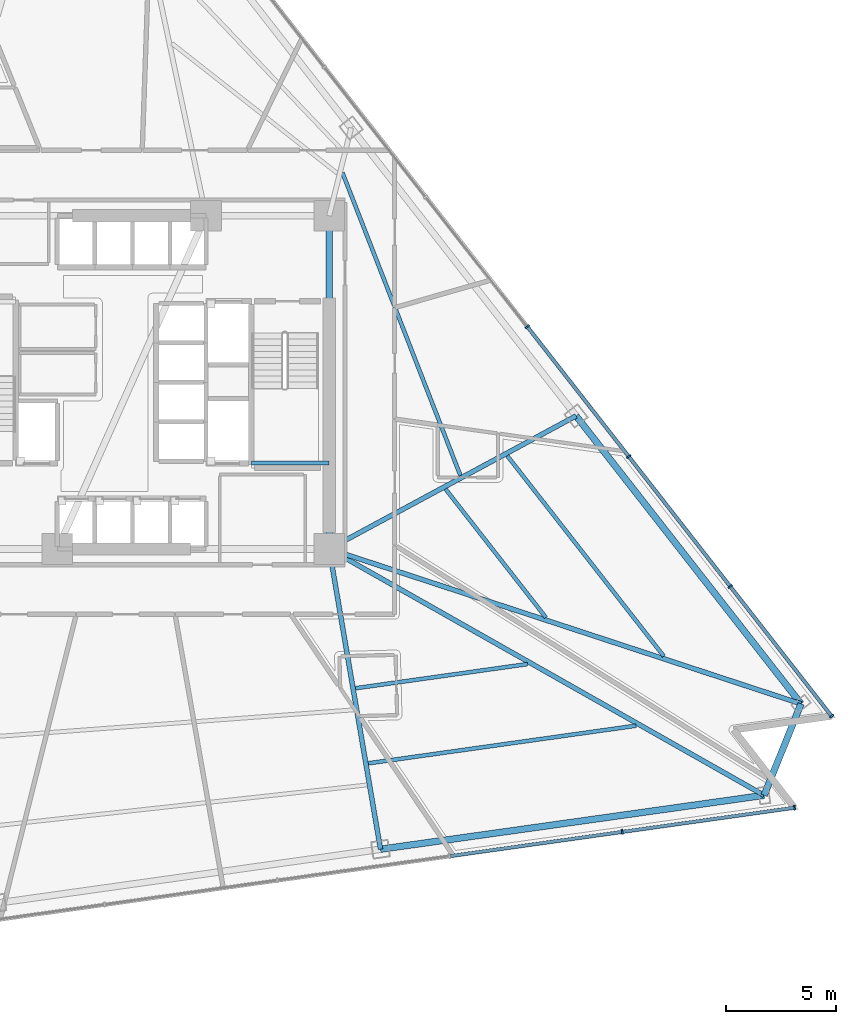
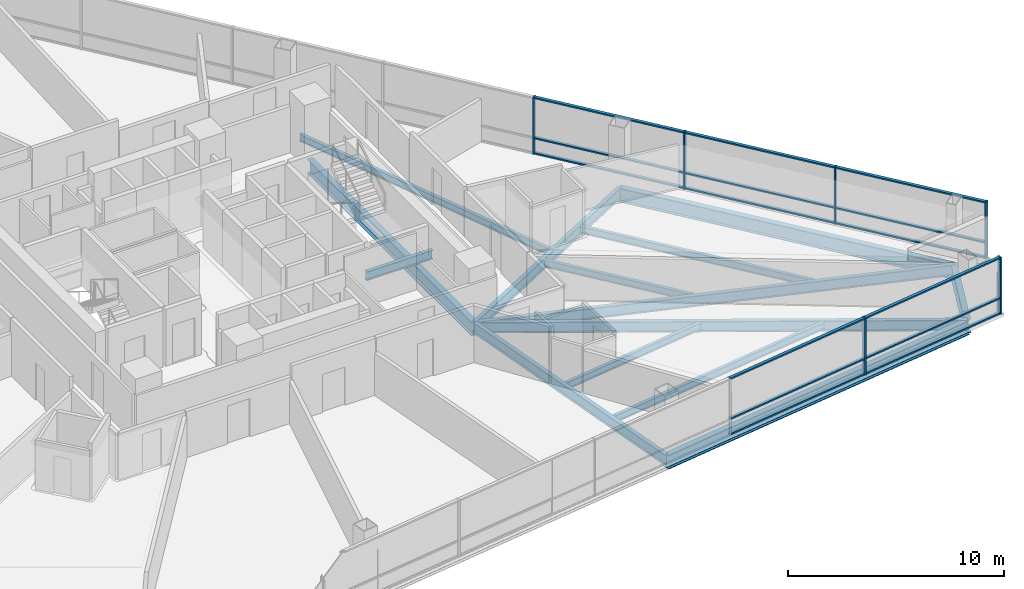
# One storey, part 4 of 15: 21 members, 14 beams, 2 elements without a shape of their own.
"""IFC4 building model written with IfcOpenShell, lengths in metres."""

from ifc_helpers import new_model, si_unit, direction, frame, origin, origin_2d, place, context, subcontext, project, spatial, rectangle, i_section, extrude, material, layer, layer_set, material_profile, profile_set, type_object, element, aggregate, save


model = new_model("IFC4")

# Units and contexts
model_context = context("Model", 3, precision=1e-05, world=origin(), true_north=direction((0.0, 1.0)))
body_context = subcontext(model_context, "Body", "Model", "MODEL_VIEW")
ifc_project = project(units=[si_unit("LENGTHUNIT", "METRE"), si_unit("AREAUNIT", "SQUARE_METRE"), si_unit("VOLUMEUNIT", "CUBIC_METRE"), si_unit("PLANEANGLEUNIT", "RADIAN"), si_unit("MASSUNIT", "GRAM", prefix="KILO")], contexts=[model_context])

# Site, building, storey
site_placement = place(None, origin())
site = spatial("IfcSite", under=ifc_project, at=site_placement, CompositionType="ELEMENT")
building_placement = place(site_placement, origin())
building = spatial("IfcBuilding", under=site, at=building_placement, Name="Tharavind Bronze Gate", CompositionType="ELEMENT")
storey_placement = place(building_placement, frame((0.0, 0.0, 77.64990234375)))
storey = spatial("IfcBuildingStorey", under=building, at=storey_placement, Name="L19", CompositionType="ELEMENT", Elevation=77.64990234375)

# Curtain wall, members
ifc_material_1 = material(Name="Anodised Bronze Aluminium", Category="aluminium")
ifc_layer = layer(ifc_material_1, 0.219970703125)
ifc_layer_set = layer_set([ifc_layer], Name="Anodised Bronze Aluminium")
curtain_wall_type = type_object("IfcCurtainWallType", Name="UNITISED CURTAIN WALL HOTEL", PredefinedType="USERDEFINED", material=ifc_layer_set)
curtain_wall_1_placement = place(storey_placement, origin())
curtain_wall_1 = element("IfcCurtainWall", 1, at=curtain_wall_1_placement, inside=storey, type_object=curtain_wall_type, Name="L19 unitised curtain wall hotel CW-L19-S2", ObjectType="UNITISED CURTAIN WALL", PredefinedType="USERDEFINED")
member_type_1 = type_object("IfcMemberType", Name="CURTAIN WALL MULLION 80X220", PredefinedType="MULLION", material=ifc_material_1)
member_1_placement = place(storey_placement, frame((22.261474609375, -20.504638671875, 0.0), z_axis=(0.0, 0.0, 1.0), x_axis=(0.990268068742, 0.13917310096, 0.0)))
member_1 = element("IfcMember", 2, at=member_1_placement, type_object=member_type_1, Name="CW-L19-S2 mullion 7", PredefinedType="MULLION", context=body_context, shape_type="SweptSolid", body=[
    extrude(rectangle(XDim=0.080078125, YDim=0.219970703125, at=origin_2d()), origin(), (0.0, 0.0, 1.0), 3.2099609375),
])
member_2_placement = place(storey_placement, frame((30.127685546875, -19.399169921875, 0.0), z_axis=(0.0, 0.0, 1.0), x_axis=(0.990268068742, 0.13917310096, 0.0)))
member_2 = element("IfcMember", 3, at=member_2_placement, type_object=member_type_1, Name="CW-L19-S2 mullion 8", PredefinedType="MULLION", context=body_context, shape_type="SweptSolid", body=[
    extrude(rectangle(XDim=0.080078125, YDim=0.219970703125, at=origin_2d()), origin(), (0.0, 0.0, 1.0), 3.2099609375),
])

curtain_wall_2_placement = place(storey_placement, origin())
curtain_wall_2 = element("IfcCurtainWall", 4, at=curtain_wall_2_placement, inside=storey, type_object=curtain_wall_type, Name="L19 unitised curtain wall hotel CW-L19-S3", ObjectType="UNITISED CURTAIN WALL", PredefinedType="USERDEFINED")
member_3_placement = place(storey_placement, frame((31.8134765625, -15.226806640625, 0.0), z_axis=(0.0, 0.0, 1.0), x_axis=(-0.615661475326, 0.788010753607, 0.0)))
member_3 = element("IfcMember", 5, at=member_3_placement, type_object=member_type_1, Name="CW-L19-S3 mullion 1", PredefinedType="MULLION", context=body_context, shape_type="SweptSolid", body=[
    extrude(rectangle(XDim=0.080078125, YDim=0.219970703125, at=origin_2d()), origin(), (0.0, 0.0, 1.0), 3.2099609375),
])
member_4_placement = place(storey_placement, frame((27.186767578125, -9.3046875, 0.0), z_axis=(0.0, 0.0, 1.0), x_axis=(-0.615661475326, 0.788010753607, 0.0)))
member_4 = element("IfcMember", 6, at=member_4_placement, type_object=member_type_1, Name="CW-L19-S3 mullion 2", PredefinedType="MULLION", context=body_context, shape_type="SweptSolid", body=[
    extrude(rectangle(XDim=0.080078125, YDim=0.219970703125, at=origin_2d()), origin(), (0.0, 0.0, 1.0), 3.2099609375),
])
member_5_placement = place(storey_placement, frame((22.56005859375, -3.3828125, 0.0), z_axis=(0.0, 0.0, 1.0), x_axis=(-0.615661475326, 0.788010753607, 0.0)))
member_5 = element("IfcMember", 7, at=member_5_placement, type_object=member_type_1, Name="CW-L19-S3 mullion 3", PredefinedType="MULLION", context=body_context, shape_type="SweptSolid", body=[
    extrude(rectangle(XDim=0.080078125, YDim=0.219970703125, at=origin_2d()), origin(), (0.0, 0.0, 1.0), 3.2099609375),
])
member_6_placement = place(storey_placement, frame((17.933349609375, 2.5390625, 0.0), z_axis=(0.0, 0.0, 1.0), x_axis=(-0.615661475326, 0.788010753607, 0.0)))
member_6 = element("IfcMember", 8, at=member_6_placement, type_object=member_type_1, Name="CW-L19-S3 mullion 4", PredefinedType="MULLION", context=body_context, shape_type="SweptSolid", body=[
    extrude(rectangle(XDim=0.080078125, YDim=0.219970703125, at=origin_2d()), origin(), (0.0, 0.0, 1.0), 3.2099609375),
])

# Member
member_type_2 = type_object("IfcMemberType", Name="CURTAIN WALL TRANSOM 80X160", PredefinedType="USERDEFINED", material=ifc_material_1)
member_7_placement = place(storey_placement, frame((18.328369140625, -21.057373046875, 0.0), z_axis=(0.0, 0.0, 1.0), x_axis=(0.990268068742, 0.13917310096, 0.0)))
member_7 = element("IfcMember", 9, at=member_7_placement, type_object=member_type_2, Name="CW-L19-S2 transom TB6", ObjectType="TRANSOM", PredefinedType="USERDEFINED", context=body_context, shape_type="SweptSolid", body=[
    extrude(rectangle(XDim=7.87548828125, YDim=0.159912109375, at=origin_2d()), origin(), (0.0, 0.0, 1.0), 0.080078125),
])

member_8_placement = place(storey_placement, frame((18.328369140625, -21.057373046875, 0.860107421875), z_axis=(0.0, 0.0, 1.0), x_axis=(0.990268068742, 0.13917310096, 0.0)))
member_8 = element("IfcMember", 10, at=member_8_placement, type_object=member_type_2, Name="CW-L19-S2 transom TS6", ObjectType="TRANSOM", PredefinedType="USERDEFINED", context=body_context, shape_type="SweptSolid", body=[
    extrude(rectangle(XDim=7.87548828125, YDim=0.159912109375, at=origin_2d()), origin(), (0.0, 0.0, 1.0), 0.080078125),
])

member_9_placement = place(storey_placement, frame((18.328369140625, -21.057373046875, 3.130126953125), z_axis=(0.0, 0.0, 1.0), x_axis=(0.990268068742, 0.13917310096, 0.0)))
member_9 = element("IfcMember", 11, at=member_9_placement, type_object=member_type_2, Name="CW-L19-S2 transom TT6", ObjectType="TRANSOM", PredefinedType="USERDEFINED", context=body_context, shape_type="SweptSolid", body=[
    extrude(rectangle(XDim=7.87548828125, YDim=0.159912109375, at=origin_2d()), origin(), (0.0, 0.0, 1.0), 0.080078125),
])

member_10_placement = place(storey_placement, frame((26.194580078125, -19.951904296875, 0.0), z_axis=(0.0, 0.0, 1.0), x_axis=(0.990268068742, 0.13917310096, 0.0)))
member_10 = element("IfcMember", 12, at=member_10_placement, type_object=member_type_2, Name="CW-L19-S2 transom TB7", ObjectType="TRANSOM", PredefinedType="USERDEFINED", context=body_context, shape_type="SweptSolid", body=[
    extrude(rectangle(XDim=7.87548828125, YDim=0.159912109375, at=origin_2d()), origin(), (0.0, 0.0, 1.0), 0.080078125),
])

member_11_placement = place(storey_placement, frame((26.194580078125, -19.951904296875, 0.860107421875), z_axis=(0.0, 0.0, 1.0), x_axis=(0.990268068742, 0.13917310096, 0.0)))
member_11 = element("IfcMember", 13, at=member_11_placement, type_object=member_type_2, Name="CW-L19-S2 transom TS7", ObjectType="TRANSOM", PredefinedType="USERDEFINED", context=body_context, shape_type="SweptSolid", body=[
    extrude(rectangle(XDim=7.87548828125, YDim=0.159912109375, at=origin_2d()), origin(), (0.0, 0.0, 1.0), 0.080078125),
])

member_12_placement = place(storey_placement, frame((26.194580078125, -19.951904296875, 3.130126953125), z_axis=(0.0, 0.0, 1.0), x_axis=(0.990268068742, 0.13917310096, 0.0)))
member_12 = element("IfcMember", 14, at=member_12_placement, type_object=member_type_2, Name="CW-L19-S2 transom TT7", ObjectType="TRANSOM", PredefinedType="USERDEFINED", context=body_context, shape_type="SweptSolid", body=[
    extrude(rectangle(XDim=7.87548828125, YDim=0.159912109375, at=origin_2d()), origin(), (0.0, 0.0, 1.0), 0.080078125),
])

aggregate(curtain_wall_1, [member_1, member_2, member_7, member_8, member_9, member_10, member_11, member_12])

member_13_placement = place(storey_placement, frame((29.5, -12.265869140625, 0.0), z_axis=(0.0, 0.0, 1.0), x_axis=(-0.615661475326, 0.788010753607, 0.0)))
member_13 = element("IfcMember", 15, at=member_13_placement, type_object=member_type_2, Name="CW-L19-S3 transom TB1", ObjectType="TRANSOM", PredefinedType="USERDEFINED", context=body_context, shape_type="SweptSolid", body=[
    extrude(rectangle(XDim=7.447021484375, YDim=0.159912109375, at=origin_2d()), origin(), (0.0, 0.0, 1.0), 0.080078125),
])

member_14_placement = place(storey_placement, frame((29.5, -12.265869140625, 0.860107421875), z_axis=(0.0, 0.0, 1.0), x_axis=(-0.615661475326, 0.788010753607, 0.0)))
member_14 = element("IfcMember", 16, at=member_14_placement, type_object=member_type_2, Name="CW-L19-S3 transom TS1", ObjectType="TRANSOM", PredefinedType="USERDEFINED", context=body_context, shape_type="SweptSolid", body=[
    extrude(rectangle(XDim=7.447021484375, YDim=0.159912109375, at=origin_2d()), origin(), (0.0, 0.0, 1.0), 0.080078125),
])

member_15_placement = place(storey_placement, frame((29.5, -12.265869140625, 3.130126953125), z_axis=(0.0, 0.0, 1.0), x_axis=(-0.615661475326, 0.788010753607, 0.0)))
member_15 = element("IfcMember", 17, at=member_15_placement, type_object=member_type_2, Name="CW-L19-S3 transom TT1", ObjectType="TRANSOM", PredefinedType="USERDEFINED", context=body_context, shape_type="SweptSolid", body=[
    extrude(rectangle(XDim=7.447021484375, YDim=0.159912109375, at=origin_2d()), origin(), (0.0, 0.0, 1.0), 0.080078125),
])

member_16_placement = place(storey_placement, frame((24.873291015625, -6.343994140625, 0.0), z_axis=(0.0, 0.0, 1.0), x_axis=(-0.615661475326, 0.788010753607, 0.0)))
member_16 = element("IfcMember", 18, at=member_16_placement, type_object=member_type_2, Name="CW-L19-S3 transom TB2", ObjectType="TRANSOM", PredefinedType="USERDEFINED", context=body_context, shape_type="SweptSolid", body=[
    extrude(rectangle(XDim=7.447021484375, YDim=0.159912109375, at=origin_2d()), origin(), (0.0, 0.0, 1.0), 0.080078125),
])

member_17_placement = place(storey_placement, frame((24.873291015625, -6.343994140625, 0.860107421875), z_axis=(0.0, 0.0, 1.0), x_axis=(-0.615661475326, 0.788010753607, 0.0)))
member_17 = element("IfcMember", 19, at=member_17_placement, type_object=member_type_2, Name="CW-L19-S3 transom TS2", ObjectType="TRANSOM", PredefinedType="USERDEFINED", context=body_context, shape_type="SweptSolid", body=[
    extrude(rectangle(XDim=7.447021484375, YDim=0.159912109375, at=origin_2d()), origin(), (0.0, 0.0, 1.0), 0.080078125),
])

member_18_placement = place(storey_placement, frame((24.873291015625, -6.343994140625, 3.130126953125), z_axis=(0.0, 0.0, 1.0), x_axis=(-0.615661475326, 0.788010753607, 0.0)))
member_18 = element("IfcMember", 20, at=member_18_placement, type_object=member_type_2, Name="CW-L19-S3 transom TT2", ObjectType="TRANSOM", PredefinedType="USERDEFINED", context=body_context, shape_type="SweptSolid", body=[
    extrude(rectangle(XDim=7.447021484375, YDim=0.159912109375, at=origin_2d()), origin(), (0.0, 0.0, 1.0), 0.080078125),
])

member_19_placement = place(storey_placement, frame((20.24658203125, -0.421875, 0.0), z_axis=(0.0, 0.0, 1.0), x_axis=(-0.615661475326, 0.788010753607, 0.0)))
member_19 = element("IfcMember", 21, at=member_19_placement, type_object=member_type_2, Name="CW-L19-S3 transom TB3", ObjectType="TRANSOM", PredefinedType="USERDEFINED", context=body_context, shape_type="SweptSolid", body=[
    extrude(rectangle(XDim=7.447021484375, YDim=0.159912109375, at=origin_2d()), origin(), (0.0, 0.0, 1.0), 0.080078125),
])

member_20_placement = place(storey_placement, frame((20.24658203125, -0.421875, 0.860107421875), z_axis=(0.0, 0.0, 1.0), x_axis=(-0.615661475326, 0.788010753607, 0.0)))
member_20 = element("IfcMember", 22, at=member_20_placement, type_object=member_type_2, Name="CW-L19-S3 transom TS3", ObjectType="TRANSOM", PredefinedType="USERDEFINED", context=body_context, shape_type="SweptSolid", body=[
    extrude(rectangle(XDim=7.447021484375, YDim=0.159912109375, at=origin_2d()), origin(), (0.0, 0.0, 1.0), 0.080078125),
])

member_21_placement = place(storey_placement, frame((20.24658203125, -0.421875, 3.130126953125), z_axis=(0.0, 0.0, 1.0), x_axis=(-0.615661475326, 0.788010753607, 0.0)))
member_21 = element("IfcMember", 23, at=member_21_placement, type_object=member_type_2, Name="CW-L19-S3 transom TT3", ObjectType="TRANSOM", PredefinedType="USERDEFINED", context=body_context, shape_type="SweptSolid", body=[
    extrude(rectangle(XDim=7.447021484375, YDim=0.159912109375, at=origin_2d()), origin(), (0.0, 0.0, 1.0), 0.080078125),
])

aggregate(curtain_wall_2, [member_3, member_4, member_5, member_6, member_13, member_14, member_15, member_16, member_17, member_18, member_19, member_20, member_21])

# Beams
ifc_material_2 = material(Name="Steel S355", Category="steel")
ifc_material_profile_1 = material_profile(ifc_material_2, i_section(OverallWidth=0.199951171875, OverallDepth=0.5, WebThickness=0.01025390625, FlangeThickness=0.01611328125, at=origin_2d()), Name="IPE500")
ifc_profile_set_1 = profile_set([ifc_material_profile_1], Name="Steel S355")
beam_type_1 = type_object("IfcBeamType", Name="PRIMARY GIRDER IPE500", PredefinedType="USERDEFINED", material=ifc_profile_set_1)
beam_1_placement = place(storey_placement, frame((5.35009765625, -3.679931640625, 1.275146484375), z_axis=(1.0, 0.0, 0.0), x_axis=(0.0, 1.0, 0.0)))
element("IfcBeam", 24, at=beam_1_placement, inside=storey, type_object=beam_type_1, Name="L19 primary girder ipe500 BM-LD-ST2-L19-1", ObjectType="GIRDER", PredefinedType="USERDEFINED", context=body_context, shape_type="SweptSolid", body=[
    extrude(i_section(OverallWidth=0.199951171875, OverallDepth=0.5, WebThickness=0.01025390625, FlangeThickness=0.01611328125, at=origin_2d()), origin(), (0.0, 0.0, 1.0), 3.5498046875),
])
ifc_material_profile_2 = material_profile(ifc_material_2, i_section(OverallWidth=0.219970703125, OverallDepth=0.60009765625, WebThickness=0.011962890625, FlangeThickness=0.01904296875, at=origin_2d()), Name="IPE600")
ifc_profile_set_2 = profile_set([ifc_material_profile_2], Name="Steel S355")
beam_type_2 = type_object("IfcBeamType", Name="PRIMARY GIRDER IPE600", PredefinedType="USERDEFINED", material=ifc_profile_set_2)
beam_2_placement = place(storey_placement, frame((11.23974609375, -21.29638671875, -0.474853515625), z_axis=(-0.168398067653, 0.985719072967, 0.0), x_axis=(-0.985719072967, -0.168398067653, 0.0)))
element("IfcBeam", 25, at=beam_2_placement, inside=storey, type_object=beam_type_2, Name="L19 primary girder ipe600 BM-L19-RAD07", ObjectType="GIRDER", PredefinedType="USERDEFINED", context=body_context, shape_type="SweptSolid", body=[
    extrude(i_section(OverallWidth=0.219970703125, OverallDepth=0.60009765625, WebThickness=0.011962890625, FlangeThickness=0.01904296875, at=origin_2d()), origin(), (0.0, 0.0, 1.0), 13.894775390625),
])
beam_3_placement = place(storey_placement, frame((28.737060546875, -18.837158203125, -0.474853515625), z_axis=(-0.870097351351, 0.492879903396, 0.0), x_axis=(-0.492879903396, -0.870097351351, 0.0)))
element("IfcBeam", 26, at=beam_3_placement, inside=storey, type_object=beam_type_2, Name="L19 primary girder ipe600 BM-L19-RAD08", ObjectType="GIRDER", PredefinedType="USERDEFINED", context=body_context, shape_type="SweptSolid", body=[
    extrude(i_section(OverallWidth=0.219970703125, OverallDepth=0.60009765625, WebThickness=0.011962890625, FlangeThickness=0.01904296875, at=origin_2d()), origin(), (0.0, 0.0, 1.0), 22.798828125),
])
beam_4_placement = place(storey_placement, frame((30.422607421875, -14.664794921875, -0.474853515625), z_axis=(-0.950123985447, 0.311872429494, 0.0), x_axis=(-0.311872429494, -0.950123985447, 0.0)))
element("IfcBeam", 27, at=beam_4_placement, inside=storey, type_object=beam_type_2, Name="L19 primary girder ipe600 BM-L19-RAD09", ObjectType="GIRDER", PredefinedType="USERDEFINED", context=body_context, shape_type="SweptSolid", body=[
    extrude(i_section(OverallWidth=0.219970703125, OverallDepth=0.60009765625, WebThickness=0.011962890625, FlangeThickness=0.01904296875, at=origin_2d()), origin(), (0.0, 0.0, 1.0), 22.652587890625),
])
beam_5_placement = place(storey_placement, frame((20.16015625, -1.529296875, -0.474853515625), z_axis=(-0.880223404357, -0.474559541493, 0.0), x_axis=(0.474559541493, -0.880223404357, 0.0)))
element("IfcBeam", 28, at=beam_5_placement, inside=storey, type_object=beam_type_2, Name="L19 primary girder ipe600 BM-L19-RAD10", ObjectType="GIRDER", PredefinedType="USERDEFINED", context=body_context, shape_type="SweptSolid", body=[
    extrude(i_section(OverallWidth=0.219970703125, OverallDepth=0.60009765625, WebThickness=0.011962890625, FlangeThickness=0.01904296875, at=origin_2d()), origin(), (0.0, 0.0, 1.0), 12.79248046875),
])
ifc_material_profile_3 = material_profile(ifc_material_2, i_section(OverallWidth=0.300048828125, OverallDepth=0.800048828125, WebThickness=0.017578125, FlangeThickness=0.032958984375, at=origin_2d()), Name="HE800B")
ifc_profile_set_3 = profile_set([ifc_material_profile_3], Name="Steel S355")
beam_type_3 = type_object("IfcBeamType", Name="RING GIRDER HE800B", PredefinedType="USERDEFINED", material=ifc_profile_set_3)
beam_6_placement = place(storey_placement, frame((8.89990234375, -7.60009765625, -0.574951171875), z_axis=(0.0, 1.0, 0.0), x_axis=(-1.0, 0.0, 0.0)))
element("IfcBeam", 29, at=beam_6_placement, inside=storey, type_object=beam_type_3, Name="L19 ring girder he800b BM-L19-CR3", ObjectType="GIRDER", PredefinedType="USERDEFINED", context=body_context, shape_type="SweptSolid", body=[
    extrude(i_section(OverallWidth=0.300048828125, OverallDepth=0.800048828125, WebThickness=0.017578125, FlangeThickness=0.032958984375, at=origin_2d()), origin(), (0.0, 0.0, 1.0), 15.2001953125),
])
beam_7_placement = place(storey_placement, frame((11.23974609375, -21.29638671875, -0.574951171875), z_axis=(0.990266966294, 0.13918094506, 0.0), x_axis=(-0.13918094506, 0.990266966294, 0.0)))
element("IfcBeam", 30, at=beam_7_placement, inside=storey, type_object=beam_type_3, Name="L19 ring girder he800b BM-L19-PRG07", ObjectType="GIRDER", PredefinedType="USERDEFINED", context=body_context, shape_type="SweptSolid", body=[
    extrude(i_section(OverallWidth=0.300048828125, OverallDepth=0.800048828125, WebThickness=0.017578125, FlangeThickness=0.032958984375, at=origin_2d()), origin(), (0.0, 0.0, 1.0), 17.669189453125),
])
beam_8_placement = place(storey_placement, frame((28.737060546875, -18.837158203125, -0.574951171875), z_axis=(0.374568898324, 0.927199083481, 0.0), x_axis=(-0.927199083481, 0.374568898324, 0.0)))
element("IfcBeam", 31, at=beam_8_placement, inside=storey, type_object=beam_type_3, Name="L19 ring girder he800b BM-L19-PRG08", ObjectType="GIRDER", PredefinedType="USERDEFINED", context=body_context, shape_type="SweptSolid", body=[
    extrude(i_section(OverallWidth=0.300048828125, OverallDepth=0.800048828125, WebThickness=0.017578125, FlangeThickness=0.032958984375, at=origin_2d()), origin(), (0.0, 0.0, 1.0), 4.5),
])
beam_9_placement = place(storey_placement, frame((30.422607421875, -14.664794921875, -0.574951171875), z_axis=(-0.61565683186, 0.788014381458, 0.0), x_axis=(-0.788014381458, -0.61565683186, 0.0)))
element("IfcBeam", 32, at=beam_9_placement, inside=storey, type_object=beam_type_3, Name="L19 ring girder he800b BM-L19-PRG09", ObjectType="GIRDER", PredefinedType="USERDEFINED", context=body_context, shape_type="SweptSolid", body=[
    extrude(i_section(OverallWidth=0.300048828125, OverallDepth=0.800048828125, WebThickness=0.017578125, FlangeThickness=0.032958984375, at=origin_2d()), origin(), (0.0, 0.0, 1.0), 16.669189453125),
])
ifc_material_profile_4 = material_profile(ifc_material_2, i_section(OverallWidth=0.179931640625, OverallDepth=0.39990234375, WebThickness=0.008544921875, FlangeThickness=0.013427734375, at=origin_2d()), Name="IPE400")
ifc_profile_set_4 = profile_set([ifc_material_profile_4], Name="Steel S355")
beam_type_4 = type_object("IfcBeamType", Name="SECONDARY FLOOR JOIST IPE400", PredefinedType="JOIST", material=ifc_profile_set_4)
beam_10_placement = place(storey_placement, frame((10.100830078125, -13.952880859375, -0.375), z_axis=(0.990270061331, 0.13915892221, 0.0), x_axis=(-0.13915892221, 0.990270061331, 0.0)))
element("IfcBeam", 33, at=beam_10_placement, inside=storey, type_object=beam_type_4, Name="L19 secondary floor joist ipe400 BM-L19-JSTA07", PredefinedType="JOIST", context=body_context, shape_type="SweptSolid", body=[
    extrude(i_section(OverallWidth=0.179931640625, OverallDepth=0.39990234375, WebThickness=0.008544921875, FlangeThickness=0.013427734375, at=origin_2d()), origin(), (0.0, 0.0, 1.0), 7.917724609375),
])
beam_11_placement = place(storey_placement, frame((10.685791015625, -17.376953125, -0.375), z_axis=(0.990269539088, 0.139162638498, 0.0), x_axis=(-0.139162638498, 0.990269539088, 0.0)))
element("IfcBeam", 34, at=beam_11_placement, inside=storey, type_object=beam_type_4, Name="L19 secondary floor joist ipe400 BM-L19-JSTB07", PredefinedType="JOIST", context=body_context, shape_type="SweptSolid", body=[
    extrude(i_section(OverallWidth=0.179931640625, OverallDepth=0.39990234375, WebThickness=0.008544921875, FlangeThickness=0.013427734375, at=origin_2d()), origin(), (0.0, 0.0, 1.0), 12.3349609375),
])
beam_12_placement = place(storey_placement, frame((18.783935546875, -10.726318359375, -0.375), z_axis=(-0.615658063003, 0.788013419593, 0.0), x_axis=(-0.788013419593, -0.615658063003, 0.0)))
element("IfcBeam", 35, at=beam_12_placement, inside=storey, type_object=beam_type_4, Name="L19 secondary floor joist ipe400 BM-L19-JSTA09", PredefinedType="JOIST", context=body_context, shape_type="SweptSolid", body=[
    extrude(i_section(OverallWidth=0.179931640625, OverallDepth=0.39990234375, WebThickness=0.008544921875, FlangeThickness=0.013427734375, at=origin_2d()), origin(), (0.0, 0.0, 1.0), 7.433837890625),
])
beam_13_placement = place(storey_placement, frame((24.16455078125, -12.492431640625, -0.375), z_axis=(-0.61565833532, 0.788013206838, 0.0), x_axis=(-0.788013206838, -0.61565833532, 0.0)))
element("IfcBeam", 36, at=beam_13_placement, inside=storey, type_object=beam_type_4, Name="L19 secondary floor joist ipe400 BM-L19-JSTB09", PredefinedType="JOIST", context=body_context, shape_type="SweptSolid", body=[
    extrude(i_section(OverallWidth=0.179931640625, OverallDepth=0.39990234375, WebThickness=0.008544921875, FlangeThickness=0.013427734375, at=origin_2d()), origin(), (0.0, 0.0, 1.0), 11.60107421875),
])
beam_14_placement = place(storey_placement, frame((14.882568359375, -4.2451171875, -0.375), z_axis=(-0.362958255352, 0.931805400753, 0.0), x_axis=(-0.931805400753, -0.362958255352, 0.0)))
element("IfcBeam", 37, at=beam_14_placement, inside=storey, type_object=beam_type_4, Name="L19 secondary floor joist ipe400 BM-L19-JSTA10", PredefinedType="JOIST", context=body_context, shape_type="SweptSolid", body=[
    extrude(i_section(OverallWidth=0.179931640625, OverallDepth=0.39990234375, WebThickness=0.008544921875, FlangeThickness=0.013427734375, at=origin_2d()), origin(), (0.0, 0.0, 1.0), 14.817626953125),
])

save(model, "model.ifc")
